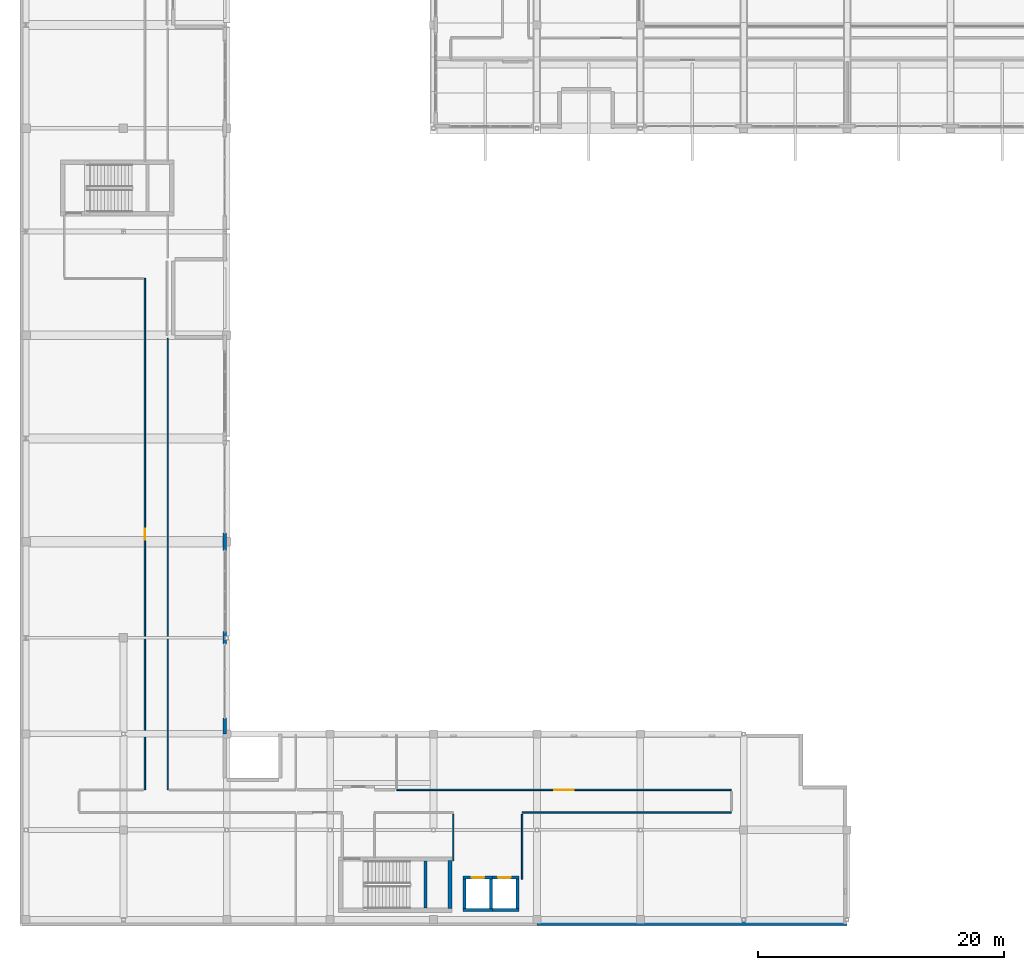
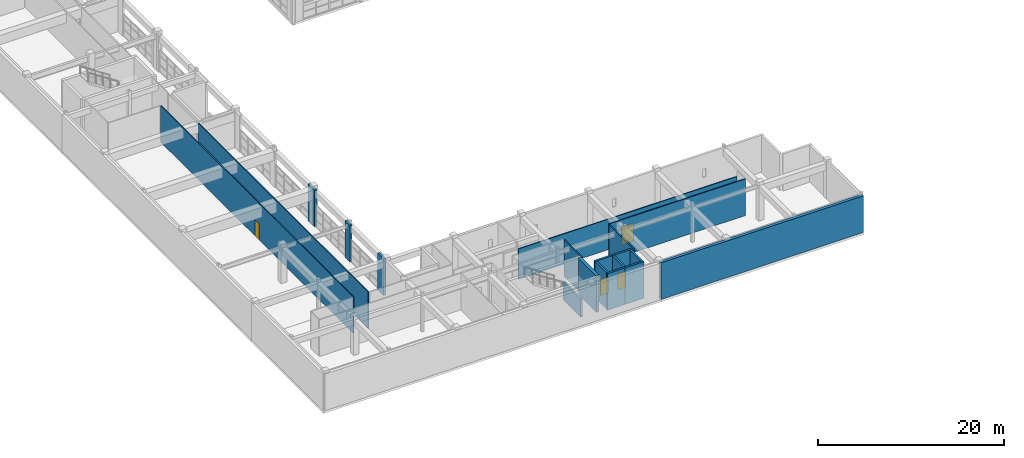
# One storey, part 84 of 103: 19 walls, 4 doors, 4 openings.
"""IFC4 building model written with IfcOpenShell, lengths in metres."""

from ifc_helpers import new_model, si_unit, direction, frame, frame_2d, origin, place, context, subcontext, project, spatial, rectangle, extrude, material, layer, layer_set, type_object, element, fill, save


model = new_model("IFC4")

# Units and contexts
model_context = context("Model", 3, precision=1e-05, world=origin(), true_north=direction((0.0, 1.0)))
body_context = subcontext(model_context, "Body", "Model", "MODEL_VIEW")
ifc_project = project(units=[si_unit("LENGTHUNIT", "METRE"), si_unit("AREAUNIT", "SQUARE_METRE"), si_unit("VOLUMEUNIT", "CUBIC_METRE"), si_unit("PLANEANGLEUNIT", "RADIAN"), si_unit("MASSUNIT", "GRAM", prefix="KILO")], contexts=[model_context])

# Site, building, storey
site_placement = place(None, origin())
site = spatial("IfcSite", under=ifc_project, at=site_placement, CompositionType="ELEMENT")
building_placement = place(site_placement, origin())
building = spatial("IfcBuilding", under=site, at=building_placement, Name="Quendrovan Civic Courthouse", CompositionType="ELEMENT")
storey_placement = place(building_placement, frame((0.0, 0.0, 15.300048828125)))
storey = spatial("IfcBuildingStorey", under=building, at=storey_placement, Name="L04", CompositionType="ELEMENT", Elevation=15.300048828125)

# Walls
ifc_material_1 = material(Name="Concrete C45/55", Category="concrete")
ifc_layer_1 = layer(ifc_material_1, 0.35009765625, Name="Concrete C45/55")
ifc_layer_set_1 = layer_set([ifc_layer_1], Name="Concrete C45/55")
wall_type_1 = type_object("IfcWallType", Name="WL-CORE-350", PredefinedType="SHEAR", material=ifc_layer_set_1)
wall_1_placement = place(storey_placement, frame((34.93505859375, 5.300048828125, 0.0), z_axis=(0.0, 0.0, 1.0), x_axis=(0.0, -1.0, 0.0)))
element("IfcWall", 1, at=wall_1_placement, inside=storey, type_object=wall_type_1, Name="L04 Core Shear Wall ST5-E", PredefinedType="SHEAR", context=body_context, shape_type="SweptSolid", body=[
    extrude(rectangle(XDim=3.900146484375, YDim=0.35009765625, at=frame_2d((1.9501953125, 0.0))), origin(), (0.0, 0.0, 1.0), 4.820068359375),
])
ifc_material_2 = material(Name="Precast concrete C45/55", Category="concrete")
ifc_layer_2 = layer(ifc_material_2, 0.2900390625, Name="Precast concrete C45/55")
ifc_layer_set_2 = layer_set([ifc_layer_2], Name="Precast concrete C45/55")
wall_type_2 = type_object("IfcWallType", Name="WL-EXT-PC290", PredefinedType="SOLIDWALL", material=ifc_layer_set_2)
wall_2_placement = place(storey_placement, frame((16.635009765625, 31.89990234375, 0.0), z_axis=(0.0, 0.0, 1.0), x_axis=(0.0, -1.0, 0.0)))
element("IfcWall", 2, at=wall_2_placement, inside=storey, type_object=wall_type_2, Name="L04 Exterior Pier Wall 346", PredefinedType="SOLIDWALL", context=body_context, shape_type="SweptSolid", body=[
    extrude(rectangle(XDim=1.39990234375, YDim=0.2900390625, at=frame_2d((0.699951171875, 0.0))), origin(), (0.0, 0.0, 1.0), 4.820068359375),
])
wall_3_placement = place(storey_placement, frame((16.635009765625, 23.89990234375, 0.0), z_axis=(0.0, 0.0, 1.0), x_axis=(0.0, -1.0, 0.0)))
element("IfcWall", 3, at=wall_3_placement, inside=storey, type_object=wall_type_2, Name="L04 Exterior Pier Wall 347", PredefinedType="SOLIDWALL", context=body_context, shape_type="SweptSolid", body=[
    extrude(rectangle(XDim=1.0, YDim=0.2900390625, at=frame_2d((0.5, 0.0))), origin(), (0.0, 0.0, 1.0), 4.820068359375),
])
wall_4_placement = place(storey_placement, frame((16.635009765625, 16.89990234375, 0.0), z_axis=(0.0, 0.0, 1.0), x_axis=(0.0, -1.0, 0.0)))
element("IfcWall", 4, at=wall_4_placement, inside=storey, type_object=wall_type_2, Name="L04 Exterior Pier Wall 348", PredefinedType="SOLIDWALL", context=body_context, shape_type="SweptSolid", body=[
    extrude(rectangle(XDim=1.2998046875, YDim=0.2900390625, at=frame_2d((0.64990234375, 0.0))), origin(), (0.0, 0.0, 1.0), 4.820068359375),
])

# Wall, opening, door
ifc_material_3 = material(Name="Acoustic glazed-head stud partition")
ifc_layer_3 = layer(ifc_material_3, 0.1201171875, Name="Acoustic glazed-head stud partition")
ifc_layer_set_3 = layer_set([ifc_layer_3], Name="Acoustic glazed-head stud partition")
wall_type_3 = type_object("IfcWallType", Name="WL-LIB-120", PredefinedType="PARTITIONING", material=ifc_layer_set_3)
wall_5_placement = place(storey_placement, frame((57.800048828125, 11.050048828125, 0.0), z_axis=(0.0, 0.0, 1.0), x_axis=(-1.0, 0.0, 0.0)))
wall_5 = element("IfcWall", 5, at=wall_5_placement, inside=storey, type_object=wall_type_3, Name="L04 Law Library Open Book Stacks Partition 0544", PredefinedType="PARTITIONING", context=body_context, shape_type="SweptSolid", body=[
    extrude(rectangle(XDim=27.2099609375, YDim=0.1201171875, at=frame_2d((13.60498046875, 0.0))), origin(), (0.0, 0.0, 1.0), 4.0),
])
opening_1_placement = place(wall_5_placement, frame((12.824951171875, 0.0, 0.0)))
opening_1 = element("IfcOpeningElement", 6, at=opening_1_placement, cuts=wall_5, Name="Opening D-L04-079", PredefinedType="OPENING", context=body_context, shape_type="SweptSolid", body=[
    extrude(rectangle(XDim=1.56005859375, YDim=2.43994140625, at=frame_2d((0.780029296875, 1.219970703125))), frame((0.0, 0.070068359375, 0.0), z_axis=(0.0, -1.0, 0.0), x_axis=(1.0, 0.0, 0.0)), (0.0, 0.0, 1.0), 0.14013671875),
])
ifc_material_4 = material(Name="Bronze-anodised aluminium acoustic glass door", Category="aluminium")
door_type_1 = type_object("IfcDoorType", Name="DR-LIB-1560", OperationType="NOTDEFINED", PredefinedType="DOOR", material=ifc_material_4)
door_1_placement = place(opening_1_placement, origin())
door_1 = element("IfcDoor", 7, at=door_1_placement, inside=storey, type_object=door_type_1, Name="L04 Law Library Open Book Stacks Door D-L04-079", OperationType="SINGLE_SWING_RIGHT", OverallHeight=2.43994140625, OverallWidth=1.56005859375, PredefinedType="DOOR", context=body_context, shape_type="SweptSolid", body=[
    extrude(rectangle(XDim=1.56005859375, YDim=2.43994140625, at=frame_2d((0.780029296875, 1.219970703125))), frame((0.0, 0.02490234375, 0.0), z_axis=(0.0, -1.0, 0.0), x_axis=(1.0, 0.0, 0.0)), (0.0, 0.0, 1.0), 0.050048828125),
])
fill(opening_1, door_1)

# Walls
wall_6_placement = place(storey_placement, frame((40.800048828125, 9.199951171875, 0.0), z_axis=(0.0, 0.0, 1.0), x_axis=(1.0, 0.0, 0.0)))
element("IfcWall", 8, at=wall_6_placement, inside=storey, type_object=wall_type_3, Name="L04 Law Library Open Book Stacks Partition 0555", PredefinedType="PARTITIONING", context=body_context, shape_type="SweptSolid", body=[
    extrude(rectangle(XDim=17.0, YDim=0.1201171875, at=frame_2d((8.5, 0.0))), origin(), (0.0, 0.0, 1.0), 4.820068359375),
])
wall_7_placement = place(storey_placement, frame((40.800048828125, 3.800048828125, 0.0), z_axis=(0.0, 0.0, 1.0), x_axis=(0.0, 1.0, 0.0)))
element("IfcWall", 9, at=wall_7_placement, inside=storey, type_object=wall_type_3, Name="L04 Law Library Open Book Stacks Partition 0593", PredefinedType="PARTITIONING", context=body_context, shape_type="SweptSolid", body=[
    extrude(rectangle(XDim=5.260009765625, YDim=0.1201171875, at=frame_2d((2.6298828125, 0.0))), origin(), (0.0, 0.0, 1.0), 4.820068359375),
])
wall_8_placement = place(storey_placement, frame((35.199951171875, 9.06005859375, 0.0), z_axis=(0.0, 0.0, 1.0), x_axis=(0.0, -1.0, 0.0)))
element("IfcWall", 10, at=wall_8_placement, inside=storey, type_object=wall_type_3, Name="L04 Law Library Open Book Stacks Partition 0594", PredefinedType="PARTITIONING", context=body_context, shape_type="SweptSolid", body=[
    extrude(rectangle(XDim=3.760009765625, YDim=0.1201171875, at=frame_2d((1.8798828125, 0.0))), origin(), (0.0, 0.0, 1.0), 4.820068359375),
])
ifc_material_5 = material(Name="Concrete C40/50", Category="concrete")
ifc_layer_4 = layer(ifc_material_5, 0.360107421875, Name="Concrete C40/50")
ifc_layer_set_4 = layer_set([ifc_layer_4], Name="Concrete C40/50")
wall_type_4 = type_object("IfcWallType", Name="WL-PARTY-360", PredefinedType="SOLIDWALL", material=ifc_layer_set_4)
wall_9_placement = place(storey_placement, frame((67.199951171875, 0.2099609375, 0.0), z_axis=(0.0, 0.0, 1.0), x_axis=(-1.0, 0.0, 0.0)))
element("IfcWall", 11, at=wall_9_placement, inside=storey, type_object=wall_type_4, Name="L04 Fire-Rated Boundary Party Wall 357", PredefinedType="SOLIDWALL", context=body_context, shape_type="SweptSolid", body=[
    extrude(rectangle(XDim=25.199951171875, YDim=0.360107421875, at=frame_2d((12.60009765625, 0.0))), origin(), (0.0, 0.0, 1.0), 4.820068359375),
])
ifc_layer_5 = layer(ifc_material_1, 0.25, Name="Concrete C45/55")
ifc_layer_set_5 = layer_set([ifc_layer_5], Name="Concrete C45/55")
wall_type_5 = type_object("IfcWallType", Name="WL-SHAFT-250", PredefinedType="SHEAR", material=ifc_layer_set_5)
wall_10_placement = place(storey_placement, frame((32.949951171875, 1.449951171875, 0.0), z_axis=(0.0, 0.0, 1.0), x_axis=(0.0, 1.0, 0.0)))
element("IfcWall", 12, at=wall_10_placement, inside=storey, type_object=wall_type_5, Name="L04 Stair ST5 Mid-Landing Bearing Wall", PredefinedType="SHEAR", context=body_context, shape_type="SweptSolid", body=[
    extrude(rectangle(XDim=3.800048828125, YDim=0.25, at=frame_2d((1.89990234375, 0.0))), origin(), (0.0, 0.0, 1.0), 2.369873046875),
])
wall_11_placement = place(storey_placement, frame((36.0, 1.27490234375, 0.0), z_axis=(0.0, 0.0, 1.0), x_axis=(1.0, 0.0, 0.0)))
element("IfcWall", 13, at=wall_11_placement, inside=storey, type_object=wall_type_5, Name="L04 Lift Hoistway Wall CL1 -Y", PredefinedType="SHEAR", context=body_context, shape_type="SweptSolid", body=[
    extrude(rectangle(XDim=2.39990234375, YDim=0.25, at=frame_2d((1.199951171875, 0.0))), origin(), (0.0, 0.0, 1.0), 4.820068359375),
])

# Wall, opening, door
wall_12_placement = place(storey_placement, frame((38.39990234375, 3.925048828125, 0.0), z_axis=(0.0, 0.0, 1.0), x_axis=(-1.0, 0.0, 0.0)))
wall_12 = element("IfcWall", 14, at=wall_12_placement, inside=storey, type_object=wall_type_5, Name="L04 Lift Hoistway Wall CL1 +Y", PredefinedType="SHEAR", context=body_context, shape_type="SweptSolid", body=[
    extrude(rectangle(XDim=2.39990234375, YDim=0.25, at=frame_2d((1.199951171875, 0.0))), origin(), (0.0, 0.0, 1.0), 4.820068359375),
])
opening_2_placement = place(wall_12_placement, frame((0.68994140625, 0.0, 0.0)))
opening_2 = element("IfcOpeningElement", 15, at=opening_2_placement, cuts=wall_12, Name="Opening LD-CL1-L04", PredefinedType="OPENING", context=body_context, shape_type="SweptSolid", body=[
    extrude(rectangle(XDim=1.02001953125, YDim=2.14990234375, at=frame_2d((0.510009765625, 1.074951171875))), frame((0.0, 0.135009765625, 0.0), z_axis=(0.0, -1.0, 0.0), x_axis=(1.0, 0.0, 0.0)), (0.0, 0.0, 1.0), 0.27001953125),
])
ifc_material_6 = material(Name="Heavy security stainless steel", Category="steel")
door_type_2 = type_object("IfcDoorType", Name="DR-LIFT-LD-CL", OperationType="NOTDEFINED", PredefinedType="DOOR", material=ifc_material_6)
door_2_placement = place(opening_2_placement, origin())
door_2 = element("IfcDoor", 16, at=door_2_placement, inside=storey, type_object=door_type_2, Name="L04 Lift CL1 Sliding Landing Door", OperationType="SLIDING_TO_LEFT", OverallHeight=2.14990234375, OverallWidth=1.02001953125, PredefinedType="DOOR", context=body_context, shape_type="SweptSolid", body=[
    extrude(rectangle(XDim=1.02001953125, YDim=2.14990234375, at=frame_2d((0.510009765625, 1.074951171875))), frame((0.0, 0.02490234375, 0.0), z_axis=(0.0, -1.0, 0.0), x_axis=(1.0, 0.0, 0.0)), (0.0, 0.0, 1.0), 0.050048828125),
])
fill(opening_2, door_2)

# Walls
for number, where, z_axis, x_axis, name in (
    (17, (36.125, 1.39990234375, 0.0), (0.0, 0.0, 1.0), (0.0, 1.0, 0.0), "L04 Lift Hoistway Wall CL1 -X"),
    (18, (38.27490234375, 3.800048828125, 0.0), (0.0, 0.0, 1.0), (0.0, -1.0, 0.0), "L04 Lift Hoistway Wall CL1 +X"),
    (19, (38.14990234375, 1.27490234375, 0.0), (0.0, 0.0, 1.0), (1.0, 0.0, 0.0), "L04 Lift Hoistway Wall CL2 -Y"),
):
    element("IfcWall", number, at=place(storey_placement, frame(where, z_axis=z_axis, x_axis=x_axis)), inside=storey, type_object=wall_type_5, Name=name, PredefinedType="SHEAR", context=body_context, shape_type="SweptSolid", body=[
        extrude(rectangle(XDim=2.400146484375, YDim=0.25, at=frame_2d((1.2001953125, 0.0))), origin(), (0.0, 0.0, 1.0), 4.820068359375),
    ])

# Wall, opening, door
wall_13_placement = place(storey_placement, frame((40.550048828125, 3.925048828125, 0.0), z_axis=(0.0, 0.0, 1.0), x_axis=(-1.0, 0.0, 0.0)))
wall_13 = element("IfcWall", 20, at=wall_13_placement, inside=storey, type_object=wall_type_5, Name="L04 Lift Hoistway Wall CL2 +Y", PredefinedType="SHEAR", context=body_context, shape_type="SweptSolid", body=[
    extrude(rectangle(XDim=2.400146484375, YDim=0.25, at=frame_2d((1.2001953125, 0.0))), origin(), (0.0, 0.0, 1.0), 4.820068359375),
])
opening_3_placement = place(wall_13_placement, frame((0.68994140625, 0.0, 0.0)))
opening_3 = element("IfcOpeningElement", 21, at=opening_3_placement, cuts=wall_13, Name="Opening LD-CL2-L04", PredefinedType="OPENING", context=body_context, shape_type="SweptSolid", body=[
    extrude(rectangle(XDim=1.02001953125, YDim=2.14990234375, at=frame_2d((0.510009765625, 1.074951171875))), frame((0.0, 0.135009765625, 0.0), z_axis=(0.0, -1.0, 0.0), x_axis=(1.0, 0.0, 0.0)), (0.0, 0.0, 1.0), 0.27001953125),
])
door_3_placement = place(opening_3_placement, origin())
door_3 = element("IfcDoor", 22, at=door_3_placement, inside=storey, type_object=door_type_2, Name="L04 Lift CL2 Sliding Landing Door", OperationType="SLIDING_TO_LEFT", OverallHeight=2.14990234375, OverallWidth=1.02001953125, PredefinedType="DOOR", context=body_context, shape_type="SweptSolid", body=[
    extrude(rectangle(XDim=1.02001953125, YDim=2.14990234375, at=frame_2d((0.510009765625, 1.074951171875))), frame((0.0, 0.02490234375, 0.0), z_axis=(0.0, -1.0, 0.0), x_axis=(1.0, 0.0, 0.0)), (0.0, 0.0, 1.0), 0.050048828125),
])
fill(opening_3, door_3)

# Wall
wall_14_placement = place(storey_placement, frame((40.425048828125, 3.800048828125, 0.0), z_axis=(0.0, 0.0, 1.0), x_axis=(0.0, -1.0, 0.0)))
element("IfcWall", 23, at=wall_14_placement, inside=storey, type_object=wall_type_5, Name="L04 Lift Hoistway Wall CL2 +X", PredefinedType="SHEAR", context=body_context, shape_type="SweptSolid", body=[
    extrude(rectangle(XDim=2.400146484375, YDim=0.25, at=frame_2d((1.2001953125, 0.0))), origin(), (0.0, 0.0, 1.0), 4.820068359375),
])

# Wall, opening, door
ifc_material_7 = material(Name="Moisture-resistant tile-backer partition")
ifc_layer_6 = layer(ifc_material_7, 0.110107421875, Name="Moisture-resistant tile-backer partition")
ifc_layer_set_6 = layer_set([ifc_layer_6], Name="Moisture-resistant tile-backer partition")
wall_type_6 = type_object("IfcWallType", Name="WL-WET-110", PredefinedType="PARTITIONING", material=ifc_layer_set_6)
wall_15_placement = place(storey_placement, frame((10.14990234375, 52.60009765625, 0.0), z_axis=(0.0, 0.0, 1.0), x_axis=(0.0, -1.0, 0.0)))
wall_15 = element("IfcWall", 24, at=wall_15_placement, inside=storey, type_object=wall_type_6, Name="L04 Judicial Law Clerks Office Partition 0542", PredefinedType="PARTITIONING", context=body_context, shape_type="SweptSolid", body=[
    extrude(rectangle(XDim=41.550048828125, YDim=0.110107421875, at=frame_2d((20.77490234375, 0.0))), origin(), (0.0, 0.0, 1.0), 4.820068359375),
])
opening_4_placement = place(wall_15_placement, frame((20.3349609375, 0.0, 0.0)))
opening_4 = element("IfcOpeningElement", 25, at=opening_4_placement, cuts=wall_15, Name="Opening D-L04-077", PredefinedType="OPENING", context=body_context, shape_type="SweptSolid", body=[
    extrude(rectangle(XDim=0.8798828125, YDim=2.10009765625, at=frame_2d((0.43994140625, 1.050048828125))), frame((0.0, 0.06494140625, 0.0), z_axis=(0.0, -1.0, 0.0), x_axis=(1.0, 0.0, 0.0)), (0.0, 0.0, 1.0), 0.130126953125),
])
ifc_material_8 = material(Name="Painted steel store door", Category="steel")
door_type_3 = type_object("IfcDoorType", Name="DR-STR-880", OperationType="NOTDEFINED", PredefinedType="DOOR", material=ifc_material_8)
door_4_placement = place(opening_4_placement, origin())
door_4 = element("IfcDoor", 26, at=door_4_placement, inside=storey, type_object=door_type_3, Name="L04 Judicial Law Clerks Office Door D-L04-077", OperationType="SINGLE_SWING_RIGHT", OverallHeight=2.10009765625, OverallWidth=0.8798828125, PredefinedType="DOOR", context=body_context, shape_type="SweptSolid", body=[
    extrude(rectangle(XDim=0.8798828125, YDim=2.10009765625, at=frame_2d((0.43994140625, 1.050048828125))), frame((0.0, 0.02490234375, 0.0), z_axis=(0.0, -1.0, 0.0), x_axis=(1.0, 0.0, 0.0)), (0.0, 0.0, 1.0), 0.050048828125),
])
fill(opening_4, door_4)

# Wall
wall_16_placement = place(storey_placement, frame((12.0, 11.050048828125, 0.0), z_axis=(0.0, 0.0, 1.0), x_axis=(0.0, 1.0, 0.0)))
element("IfcWall", 27, at=wall_16_placement, inside=storey, type_object=wall_type_6, Name="L04 Judicial Law Clerks Office Partition 0543", PredefinedType="PARTITIONING", context=body_context, shape_type="SweptSolid", body=[
    extrude(rectangle(XDim=36.679931640625, YDim=0.110107421875, at=frame_2d((18.33984375, 0.0))), origin(), (0.0, 0.0, 1.0), 4.820068359375),
])

save(model, "model.ifc")
